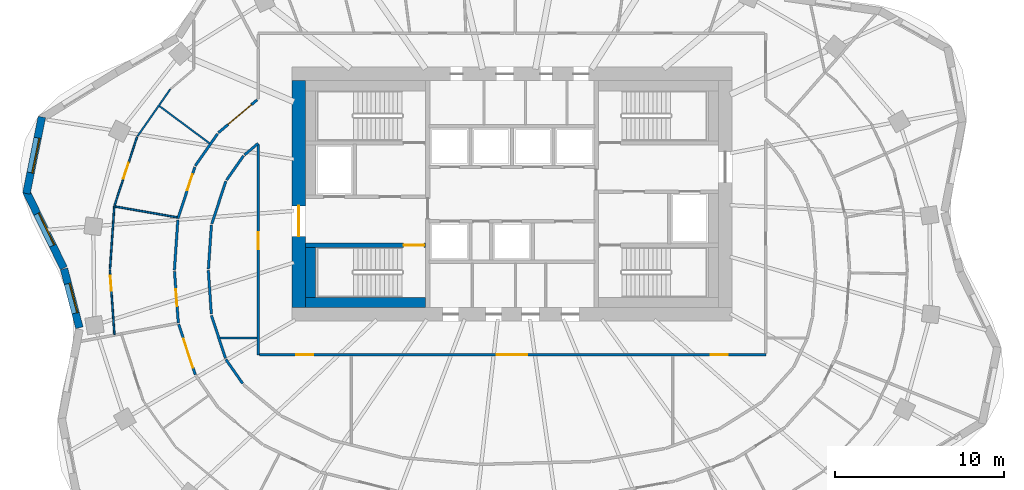
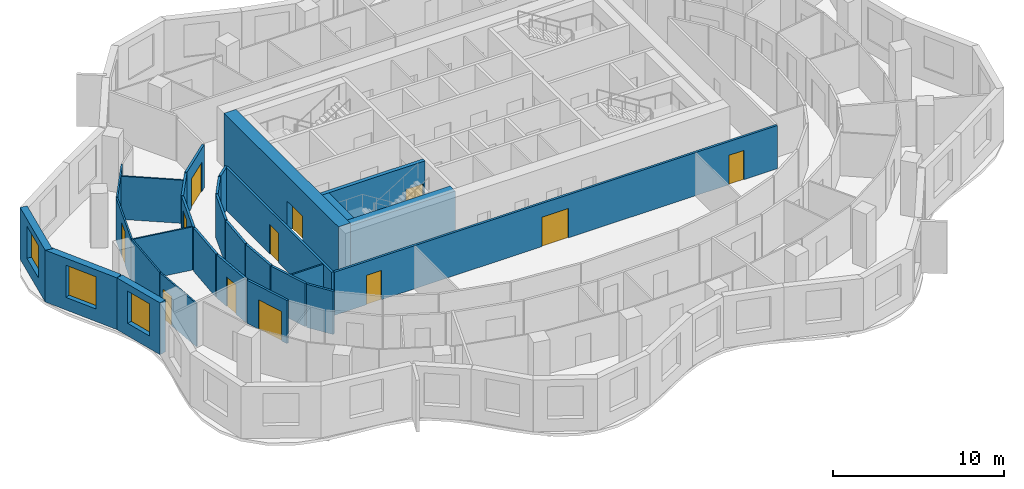
# One storey, part 4 of 11: 29 walls, 12 doors, 3 windows, 15 openings.
"""IFC4 building model written with IfcOpenShell, lengths in metres."""

from ifc_helpers import new_model, si_unit, direction, frame, frame_2d, origin, place, context, subcontext, project, spatial, rectangle, extrude, material, layer, layer_set, type_object, element, fill, save


model = new_model("IFC4")

# Units and contexts
model_context = context("Model", 3, precision=1e-05, world=origin(), true_north=direction((0.0, 1.0)))
body_context = subcontext(model_context, "Body", "Model", "MODEL_VIEW")
ifc_project = project(units=[si_unit("LENGTHUNIT", "METRE"), si_unit("AREAUNIT", "SQUARE_METRE"), si_unit("VOLUMEUNIT", "CUBIC_METRE"), si_unit("PLANEANGLEUNIT", "RADIAN"), si_unit("MASSUNIT", "GRAM", prefix="KILO")], contexts=[model_context])

# Site, building, storey
site_placement = place(None, origin())
site = spatial("IfcSite", under=ifc_project, at=site_placement, CompositionType="ELEMENT")
building_placement = place(site_placement, origin())
building = spatial("IfcBuilding", under=site, at=building_placement, Name="Rubra Terraces Tower", CompositionType="ELEMENT")
storey_placement = place(building_placement, frame((0.0, 0.0, 177.89990234375)))
storey = spatial("IfcBuildingStorey", under=building, at=storey_placement, Name="L43", CompositionType="ELEMENT", Elevation=177.89990234375)

# Wall, opening, window
ifc_material_1 = material(Name="Brick masonry red-brown", Category="masonry")
ifc_layer_1 = layer(ifc_material_1, 0.449951171875)
ifc_layer_set_1 = layer_set([ifc_layer_1], Name="Brick masonry red-brown")
wall_type_1 = type_object("IfcWallType", Name="Brick facade wall 450", PredefinedType="SOLIDWALL", material=ifc_layer_set_1)
wall_1_placement = place(storey_placement, frame((-27.779541015625, 9.053466796875, 0.0), z_axis=(0.0, 0.0, 1.0), x_axis=(-0.197796229105, -0.980243159503, 0.0)))
wall_1 = element("IfcWall", 1, at=wall_1_placement, inside=storey, type_object=wall_type_1, Name="Facade wall L43 bay 19", PredefinedType="SOLIDWALL", context=body_context, shape_type="SweptSolid", body=[
    extrude(rectangle(XDim=4.610107421875, YDim=0.449951171875, at=frame_2d((2.30517578125, 0.0))), origin(), (0.0, 0.0, 1.0), 3.7001953125),
])
opening_1_placement = place(wall_1_placement, frame((1.255126953125, 0.0, 0.89990234375)))
opening_1 = element("IfcOpeningElement", 2, at=opening_1_placement, cuts=wall_1, Name="Opening W1B", PredefinedType="OPENING", context=body_context, shape_type="SweptSolid", body=[
    extrude(rectangle(XDim=2.10009765625, YDim=2.300048828125, at=frame_2d((1.050048828125, 1.14990234375))), frame((0.0, 0.23486328125, 0.0), z_axis=(0.0, -1.0, 0.0), x_axis=(1.0, 0.0, 0.0)), (0.0, 0.0, 1.0), 0.469970703125),
])
ifc_material_2 = material(Name="Clear glass in aluminium frame", Category="aluminium")
window_type_1 = type_object("IfcWindowType", Name="Fixed deep-set window tall storey 2100 x 2300", PartitioningType="SINGLE_PANEL", PredefinedType="WINDOW", material=ifc_material_2)
window_1_placement = place(opening_1_placement, origin())
window_1 = element("IfcWindow", 3, at=window_1_placement, inside=storey, type_object=window_type_1, Name="Window L43 bay 19", OverallHeight=2.300048828125, OverallWidth=2.10009765625, PartitioningType="SINGLE_PANEL", PredefinedType="WINDOW", context=body_context, shape_type="SweptSolid", body=[
    extrude(rectangle(XDim=2.10009765625, YDim=2.300048828125, at=frame_2d((1.050048828125, 1.14990234375))), frame((0.0, 0.135009765625, 0.0), z_axis=(0.0, -1.0, 0.0), x_axis=(1.0, 0.0, 0.0)), (0.0, 0.0, 1.0), 0.06005859375),
])
fill(opening_1, window_1)

wall_2_placement = place(storey_placement, frame((-28.70703125, 4.672119140625, 0.0), z_axis=(0.0, 0.0, 1.0), x_axis=(0.439053549989, -0.898460895221, 0.0)))
wall_2 = element("IfcWall", 4, at=wall_2_placement, inside=storey, type_object=wall_type_1, Name="Facade wall L43 bay 20", PredefinedType="SOLIDWALL", context=body_context, shape_type="SweptSolid", body=[
    extrude(rectangle(XDim=5.061767578125, YDim=0.449951171875, at=frame_2d((2.53076171875, 0.0))), origin(), (0.0, 0.0, 1.0), 3.7001953125),
])
opening_2_placement = place(wall_2_placement, frame((1.48095703125, 0.0, 0.89990234375)))
opening_2 = element("IfcOpeningElement", 5, at=opening_2_placement, cuts=wall_2, Name="Opening W1B", PredefinedType="OPENING", context=body_context, shape_type="SweptSolid", body=[
    extrude(rectangle(XDim=2.10009765625, YDim=2.300048828125, at=frame_2d((1.050048828125, 1.14990234375))), frame((0.0, 0.23486328125, 0.0), z_axis=(0.0, -1.0, 0.0), x_axis=(1.0, 0.0, 0.0)), (0.0, 0.0, 1.0), 0.469970703125),
])
window_2_placement = place(opening_2_placement, origin())
window_2 = element("IfcWindow", 6, at=window_2_placement, inside=storey, type_object=window_type_1, Name="Window L43 bay 20", OverallHeight=2.300048828125, OverallWidth=2.10009765625, PartitioningType="SINGLE_PANEL", PredefinedType="WINDOW", context=body_context, shape_type="SweptSolid", body=[
    extrude(rectangle(XDim=2.10009765625, YDim=2.300048828125, at=frame_2d((1.050048828125, 1.14990234375))), frame((0.0, 0.135009765625, 0.0), z_axis=(0.0, -1.0, 0.0), x_axis=(1.0, 0.0, 0.0)), (0.0, 0.0, 1.0), 0.06005859375),
])
fill(opening_2, window_2)

wall_3_placement = place(storey_placement, frame((-26.469482421875, 0.0791015625, 0.0), z_axis=(0.0, 0.0, 1.0), x_axis=(0.252446779859, -0.967610780913, 0.0)))
wall_3 = element("IfcWall", 7, at=wall_3_placement, inside=storey, type_object=wall_type_1, Name="Facade wall L43 bay 21", PredefinedType="SOLIDWALL", context=body_context, shape_type="SweptSolid", body=[
    extrude(rectangle(XDim=3.5947265625, YDim=0.449951171875, at=frame_2d((1.79736328125, 0.0))), origin(), (0.0, 0.0, 1.0), 3.7001953125),
])
opening_3_placement = place(wall_3_placement, frame((0.897216796875, 0.0, 0.89990234375)))
opening_3 = element("IfcOpeningElement", 8, at=opening_3_placement, cuts=wall_3, Name="Opening W6B", PredefinedType="OPENING", context=body_context, shape_type="SweptSolid", body=[
    extrude(rectangle(XDim=1.800048828125, YDim=2.300048828125, at=frame_2d((0.89990234375, 1.14990234375))), frame((0.0, 0.23486328125, 0.0), z_axis=(0.0, -1.0, 0.0), x_axis=(1.0, 0.0, 0.0)), (0.0, 0.0, 1.0), 0.469970703125),
])
window_type_2 = type_object("IfcWindowType", Name="Fixed deep-set window at wind fin tall storey 1800 x 2300", PartitioningType="SINGLE_PANEL", PredefinedType="WINDOW", material=ifc_material_2)
window_3_placement = place(opening_3_placement, origin())
window_3 = element("IfcWindow", 9, at=window_3_placement, inside=storey, type_object=window_type_2, Name="Window L43 bay 21", OverallHeight=2.300048828125, OverallWidth=1.800048828125, PartitioningType="SINGLE_PANEL", PredefinedType="WINDOW", context=body_context, shape_type="SweptSolid", body=[
    extrude(rectangle(XDim=1.800048828125, YDim=2.300048828125, at=frame_2d((0.89990234375, 1.14990234375))), frame((0.0, 0.135009765625, 0.0), z_axis=(0.0, -1.0, 0.0), x_axis=(1.0, 0.0, 0.0)), (0.0, 0.0, 1.0), 0.06005859375),
])
fill(opening_3, window_3)

# Wall, opening, door
ifc_material_3 = material(Name="Concrete C50", Category="concrete")
ifc_layer_2 = layer(ifc_material_3, 0.800048828125)
ifc_layer_set_2 = layer_set([ifc_layer_2], Name="Concrete C50")
wall_type_2 = type_object("IfcWallType", Name="CORE WALL 800 C50", PredefinedType="SHEAR", material=ifc_layer_set_2)
wall_4_placement = place(storey_placement, frame((-12.60009765625, -2.199951171875, 0.0), z_axis=(0.0, 0.0, 1.0), x_axis=(0.0, 1.0, 0.0)))
wall_4 = element("IfcWall", 10, at=wall_4_placement, inside=storey, type_object=wall_type_2, Name="CORE WALL W L43", PredefinedType="SHEAR", context=body_context, shape_type="SweptSolid", body=[
    extrude(rectangle(XDim=13.39990234375, YDim=0.800048828125, at=frame_2d((6.699951171875, 0.0))), origin(), (0.0, 0.0, 1.0), 3.900146484375),
])
opening_4_placement = place(wall_4_placement, frame((4.199951171875, 0.0, 0.0)))
opening_4 = element("IfcOpeningElement", 11, at=opening_4_placement, cuts=wall_4, Name="Opening L43.C01", PredefinedType="OPENING", context=body_context, shape_type="SweptSolid", body=[
    extrude(rectangle(XDim=1.800048828125, YDim=2.10009765625, at=frame_2d((0.89990234375, 1.050048828125))), frame((0.0, 0.409912109375, 0.0), z_axis=(0.0, -1.0, 0.0), x_axis=(1.0, 0.0, 0.0)), (0.0, 0.0, 1.0), 0.820068359375),
])
ifc_material_4 = material(Name="Painted steel", Category="steel")
door_type_1 = type_object("IfcDoorType", Name="Fire door 1800x2100 double", OperationType="NOTDEFINED", PredefinedType="DOOR", material=ifc_material_4)
door_1_placement = place(opening_4_placement, origin())
door_1 = element("IfcDoor", 12, at=door_1_placement, inside=storey, type_object=door_type_1, Name="Core entrance door FF1", OperationType="DOUBLE_DOOR_SINGLE_SWING", OverallHeight=2.10009765625, OverallWidth=1.800048828125, PredefinedType="DOOR", context=body_context, shape_type="SweptSolid", body=[
    extrude(rectangle(XDim=1.800048828125, YDim=2.10009765625, at=frame_2d((0.89990234375, 1.050048828125))), frame((0.0, 0.02490234375, 0.0), z_axis=(0.0, -1.0, 0.0), x_axis=(1.0, 0.0, 0.0)), (0.0, 0.0, 1.0), 0.050048828125),
])
fill(opening_4, door_1)

ifc_material_5 = material(Name="Plasterboard on steel stud, mineral wool infill", Category="steel")
ifc_layer_3 = layer(ifc_material_5, 0.14990234375)
ifc_layer_set_3 = layer_set([ifc_layer_3], Name="Plasterboard on steel stud, mineral wool infill")
wall_type_3 = type_object("IfcWallType", Name="CORRIDOR PARTITION 150", PredefinedType="PARTITIONING", material=ifc_layer_set_3)
wall_5_placement = place(storey_placement, frame((-15.05712890625, 10.072998046875, 0.0), z_axis=(0.0, 0.0, 1.0), x_axis=(-0.762398905861, -0.647107339119, 0.0)))
wall_5 = element("IfcWall", 13, at=wall_5_placement, inside=storey, type_object=wall_type_3, Name="PARTITION", PredefinedType="PARTITIONING", context=body_context, shape_type="SweptSolid", body=[
    extrude(rectangle(XDim=3.013427734375, YDim=0.14990234375, at=frame_2d((1.5068359375, 0.0))), origin(), (0.0, 0.0, 1.0), 3.083984375),
])
opening_5_placement = place(wall_5_placement, frame((0.449951171875, 0.0, 0.0)))
opening_5 = element("IfcOpeningElement", 14, at=opening_5_placement, cuts=wall_5, Name="Opening 43-110", PredefinedType="OPENING", context=body_context, shape_type="SweptSolid", body=[
    extrude(rectangle(XDim=1.800048828125, YDim=2.10009765625, at=frame_2d((0.89990234375, 1.050048828125))), frame((0.0, 0.0849609375, 0.0), z_axis=(0.0, -1.0, 0.0), x_axis=(1.0, 0.0, 0.0)), (0.0, 0.0, 1.0), 0.169921875),
])
ifc_material_6 = material(Name="Painted timber door leaf, double", Category="wood")
door_type_2 = type_object("IfcDoorType", Name="ROOM DOUBLE DOOR 1800 X 2100", OperationType="DOUBLE_DOOR_SINGLE_SWING", PredefinedType="DOOR", material=ifc_material_6)
door_2_placement = place(opening_5_placement, origin())
door_2 = element("IfcDoor", 15, at=door_2_placement, inside=storey, type_object=door_type_2, Name="DOOR 43-110", OperationType="DOUBLE_DOOR_SINGLE_SWING", OverallHeight=2.10009765625, OverallWidth=1.800048828125, PredefinedType="DOOR", context=body_context, shape_type="SweptSolid", body=[
    extrude(rectangle(XDim=1.800048828125, YDim=2.10009765625, at=frame_2d((0.89990234375, 1.050048828125))), frame((0.0, 0.02490234375, 0.0), z_axis=(0.0, -1.0, 0.0), x_axis=(1.0, 0.0, 0.0)), (0.0, 0.0, 1.0), 0.050048828125),
])
fill(opening_5, door_2)

# Wall
wall_6_placement = place(storey_placement, frame((-17.3974609375, 8.0615234375, 0.0), z_axis=(0.0, 0.0, 1.0), x_axis=(-0.572118665737, -0.820170855563, 0.0)))
element("IfcWall", 16, at=wall_6_placement, inside=storey, type_object=wall_type_3, Name="PARTITION", PredefinedType="PARTITIONING", context=body_context, shape_type="SweptSolid", body=[
    extrude(rectangle(XDim=2.30615234375, YDim=0.14990234375, at=frame_2d((1.153076171875, 0.0))), origin(), (0.0, 0.0, 1.0), 3.083984375),
])

# Wall, opening, door
wall_7_placement = place(storey_placement, frame((-18.740234375, 6.098876953125, 0.0), z_axis=(0.0, 0.0, 1.0), x_axis=(-0.31188427026, -0.950120098706, 0.0)))
wall_7 = element("IfcWall", 17, at=wall_7_placement, inside=storey, type_object=wall_type_3, Name="PARTITION", PredefinedType="PARTITIONING", context=body_context, shape_type="SweptSolid", body=[
    extrude(rectangle(XDim=3.206298828125, YDim=0.14990234375, at=frame_2d((1.60302734375, 0.0))), origin(), (0.0, 0.0, 1.0), 3.083984375),
])
opening_6_placement = place(wall_7_placement, frame((0.449951171875, 0.0, 0.0)))
opening_6 = element("IfcOpeningElement", 18, at=opening_6_placement, cuts=wall_7, Name="Opening 43-111", PredefinedType="OPENING", context=body_context, shape_type="SweptSolid", body=[
    extrude(rectangle(XDim=1.0, YDim=2.39990234375, at=frame_2d((0.5, 1.199951171875))), frame((0.0, 0.0849609375, 0.0), z_axis=(0.0, -1.0, 0.0), x_axis=(1.0, 0.0, 0.0)), (0.0, 0.0, 1.0), 0.169921875),
])
ifc_material_7 = material(Name="Glazed aluminium meeting door leaf", Category="aluminium")
door_type_3 = type_object("IfcDoorType", Name="MEETING ROOM GLAZED DOOR 1000 X 2400", OperationType="SINGLE_SWING_LEFT", PredefinedType="DOOR", material=ifc_material_7)
door_3_placement = place(opening_6_placement, origin())
door_3 = element("IfcDoor", 19, at=door_3_placement, inside=storey, type_object=door_type_3, Name="DOOR 43-111", OperationType="SINGLE_SWING_RIGHT", OverallHeight=2.39990234375, OverallWidth=1.0, PredefinedType="DOOR", context=body_context, shape_type="SweptSolid", body=[
    extrude(rectangle(XDim=1.0, YDim=2.39990234375, at=frame_2d((0.5, 1.199951171875))), frame((0.0, 0.02490234375, 0.0), z_axis=(0.0, -1.0, 0.0), x_axis=(1.0, 0.0, 0.0)), (0.0, 0.0, 1.0), 0.050048828125),
])
fill(opening_6, door_3)

# Wall
wall_8_placement = place(storey_placement, frame((-19.745361328125, 2.9775390625, 0.0), z_axis=(0.0, 0.0, 1.0), x_axis=(-0.068142324, -0.997675610447, 0.0)))
element("IfcWall", 20, at=wall_8_placement, inside=storey, type_object=wall_type_3, Name="PARTITION", PredefinedType="PARTITIONING", context=body_context, shape_type="SweptSolid", body=[
    extrude(rectangle(XDim=2.984375, YDim=0.14990234375, at=frame_2d((1.4921875, 0.0))), origin(), (0.0, 0.0, 1.0), 3.083984375),
])

# Wall, opening, door
wall_9_placement = place(storey_placement, frame((-19.943115234375, -0.07470703125, 0.0), z_axis=(0.0, 0.0, 1.0), x_axis=(0.074071611523, -0.997252924973, 0.0)))
wall_9 = element("IfcWall", 21, at=wall_9_placement, inside=storey, type_object=wall_type_3, Name="PARTITION", PredefinedType="PARTITIONING", context=body_context, shape_type="SweptSolid", body=[
    extrude(rectangle(XDim=3.05859375, YDim=0.14990234375, at=frame_2d((1.529296875, 0.0))), origin(), (0.0, 0.0, 1.0), 3.083984375),
])
opening_7_placement = place(wall_9_placement, frame((1.050048828125, 0.0, 0.0)))
opening_7 = element("IfcOpeningElement", 22, at=opening_7_placement, cuts=wall_9, Name="Opening 43-135", PredefinedType="OPENING", context=body_context, shape_type="SweptSolid", body=[
    extrude(rectangle(XDim=1.0, YDim=2.10009765625, at=frame_2d((0.5, 1.050048828125))), frame((0.0, 0.0849609375, 0.0), z_axis=(0.0, -1.0, 0.0), x_axis=(1.0, 0.0, 0.0)), (0.0, 0.0, 1.0), 0.169921875),
])
ifc_material_8 = material(Name="Painted timber door leaf", Category="wood")
door_type_4 = type_object("IfcDoorType", Name="ROOM DOOR 1000 X 2100", OperationType="SINGLE_SWING_LEFT", PredefinedType="DOOR", material=ifc_material_8)
door_4_placement = place(opening_7_placement, origin())
door_4 = element("IfcDoor", 23, at=door_4_placement, inside=storey, type_object=door_type_4, Name="DOOR 43-135", OperationType="SINGLE_SWING_RIGHT", OverallHeight=2.10009765625, OverallWidth=1.0, PredefinedType="DOOR", context=body_context, shape_type="SweptSolid", body=[
    extrude(rectangle(XDim=1.0, YDim=2.10009765625, at=frame_2d((0.5, 1.050048828125))), frame((0.0, 0.02490234375, 0.0), z_axis=(0.0, -1.0, 0.0), x_axis=(1.0, 0.0, 0.0)), (0.0, 0.0, 1.0), 0.050048828125),
])
fill(opening_7, door_4)

wall_10_placement = place(storey_placement, frame((-19.693115234375, -3.1962890625, 0.0), z_axis=(0.0, 0.0, 1.0), x_axis=(0.311918951318, -0.950108713679, 0.0)))
wall_10 = element("IfcWall", 24, at=wall_10_placement, inside=storey, type_object=wall_type_3, Name="PARTITION", PredefinedType="PARTITIONING", context=body_context, shape_type="SweptSolid", body=[
    extrude(rectangle(XDim=3.130126953125, YDim=0.14990234375, at=frame_2d((1.56494140625, 0.0))), origin(), (0.0, 0.0, 1.0), 3.083984375),
])
opening_8_placement = place(wall_10_placement, frame((0.89990234375, 0.0, 0.0)))
opening_8 = element("IfcOpeningElement", 25, at=opening_8_placement, cuts=wall_10, Name="Opening 43-113", PredefinedType="OPENING", context=body_context, shape_type="SweptSolid", body=[
    extrude(rectangle(XDim=1.800048828125, YDim=2.10009765625, at=frame_2d((0.89990234375, 1.050048828125))), frame((0.0, 0.0849609375, 0.0), z_axis=(0.0, -1.0, 0.0), x_axis=(1.0, 0.0, 0.0)), (0.0, 0.0, 1.0), 0.169921875),
])
door_5_placement = place(opening_8_placement, origin())
door_5 = element("IfcDoor", 26, at=door_5_placement, inside=storey, type_object=door_type_2, Name="DOOR 43-113", OperationType="DOUBLE_DOOR_SINGLE_SWING", OverallHeight=2.10009765625, OverallWidth=1.800048828125, PredefinedType="DOOR", context=body_context, shape_type="SweptSolid", body=[
    extrude(rectangle(XDim=1.800048828125, YDim=2.10009765625, at=frame_2d((0.89990234375, 1.050048828125))), frame((0.0, 0.02490234375, 0.0), z_axis=(0.0, -1.0, 0.0), x_axis=(1.0, 0.0, 0.0)), (0.0, 0.0, 1.0), 0.050048828125),
])
fill(opening_8, door_5)

# Walls
wall_11_placement = place(storey_placement, frame((-15.911865234375, -6.695556640625, 0.0), z_axis=(0.0, 0.0, 1.0), x_axis=(-0.572078533763, 0.820198848578, 0.0)))
element("IfcWall", 27, at=wall_11_placement, inside=storey, type_object=wall_type_3, Name="PARTITION", PredefinedType="PARTITIONING", context=body_context, shape_type="SweptSolid", body=[
    extrude(rectangle(XDim=1.74169921875, YDim=0.14990234375, at=frame_2d((0.870849609375, 0.0))), origin(), (0.0, 0.0, 1.0), 3.083984375),
])
wall_12_placement = place(storey_placement, frame((-16.931640625, -5.19580078125, 0.0), z_axis=(0.0, 0.0, 1.0), x_axis=(-0.311904957484, 0.950113307715, 0.0)))
element("IfcWall", 28, at=wall_12_placement, inside=storey, type_object=wall_type_3, Name="PARTITION", PredefinedType="PARTITIONING", context=body_context, shape_type="SweptSolid", body=[
    extrude(rectangle(XDim=2.662109375, YDim=0.14990234375, at=frame_2d((1.3310546875, 0.0))), origin(), (0.0, 0.0, 1.0), 3.083984375),
])
wall_13_placement = place(storey_placement, frame((-17.76708984375, -2.591552734375, 0.0), z_axis=(0.0, 0.0, 1.0), x_axis=(-0.068140828228, 0.997675712608, 0.0)))
element("IfcWall", 29, at=wall_13_placement, inside=storey, type_object=wall_type_3, Name="PARTITION", PredefinedType="PARTITIONING", context=body_context, shape_type="SweptSolid", body=[
    extrude(rectangle(XDim=2.59765625, YDim=0.14990234375, at=frame_2d((1.298828125, 0.0))), origin(), (0.0, 0.0, 1.0), 3.083984375),
])
wall_14_placement = place(storey_placement, frame((-17.939208984375, 0.07470703125, 0.0), z_axis=(0.0, 0.0, 1.0), x_axis=(0.068227980697, 0.997669756307, 0.0)))
element("IfcWall", 30, at=wall_14_placement, inside=storey, type_object=wall_type_3, Name="PARTITION", PredefinedType="PARTITIONING", context=body_context, shape_type="SweptSolid", body=[
    extrude(rectangle(XDim=2.597900390625, YDim=0.14990234375, at=frame_2d((1.298828125, 0.0))), origin(), (0.0, 0.0, 1.0), 3.083984375),
])
wall_15_placement = place(storey_placement, frame((-17.738525390625, 2.73779296875, 0.0), z_axis=(0.0, 0.0, 1.0), x_axis=(0.311904957484, 0.950113307715, 0.0)))
element("IfcWall", 31, at=wall_15_placement, inside=storey, type_object=wall_type_3, Name="PARTITION", PredefinedType="PARTITIONING", context=body_context, shape_type="SweptSolid", body=[
    extrude(rectangle(XDim=2.662109375, YDim=0.14990234375, at=frame_2d((1.3310546875, 0.0))), origin(), (0.0, 0.0, 1.0), 3.083984375),
])
wall_16_placement = place(storey_placement, frame((-16.865478515625, 5.32861328125, 0.0), z_axis=(0.0, 0.0, 1.0), x_axis=(0.572096615639, 0.820186236397, 0.0)))
element("IfcWall", 32, at=wall_16_placement, inside=storey, type_object=wall_type_3, Name="PARTITION", PredefinedType="PARTITIONING", context=body_context, shape_type="SweptSolid", body=[
    extrude(rectangle(XDim=1.752685546875, YDim=0.14990234375, at=frame_2d((0.87646484375, 0.0))), origin(), (0.0, 0.0, 1.0), 3.083984375),
])
wall_17_placement = place(storey_placement, frame((-15.805419921875, 6.814453125, 0.0), z_axis=(0.0, 0.0, 1.0), x_axis=(0.762298381233, 0.647225755027, 0.0)))
element("IfcWall", 33, at=wall_17_placement, inside=storey, type_object=wall_type_3, Name="PARTITION", PredefinedType="PARTITIONING", context=body_context, shape_type="SweptSolid", body=[
    extrude(rectangle(XDim=1.056640625, YDim=0.14990234375, at=frame_2d((0.5283203125, 0.0))), origin(), (0.0, 0.0, 1.0), 3.083984375),
])

# Wall, opening, door
wall_18_placement = place(storey_placement, frame((-15.0, 7.423095703125, 0.0), z_axis=(0.0, 0.0, 1.0), x_axis=(0.0, -1.0, 0.0)))
wall_18 = element("IfcWall", 34, at=wall_18_placement, inside=storey, type_object=wall_type_3, Name="PARTITION", PredefinedType="PARTITIONING", context=body_context, shape_type="SweptSolid", body=[
    extrude(rectangle(XDim=12.423095703125, YDim=0.14990234375, at=frame_2d((6.21142578125, 0.0))), origin(), (0.0, 0.0, 1.0), 3.083984375),
])
opening_9_placement = place(wall_18_placement, frame((5.174072265625, 0.0, 0.0)))
opening_9 = element("IfcOpeningElement", 35, at=opening_9_placement, cuts=wall_18, Name="Opening 43-127", PredefinedType="OPENING", context=body_context, shape_type="SweptSolid", body=[
    extrude(rectangle(XDim=1.0, YDim=2.10009765625, at=frame_2d((0.5, 1.050048828125))), frame((0.0, 0.0849609375, 0.0), z_axis=(0.0, -1.0, 0.0), x_axis=(1.0, 0.0, 0.0)), (0.0, 0.0, 1.0), 0.169921875),
])
door_6_placement = place(opening_9_placement, origin())
door_6 = element("IfcDoor", 36, at=door_6_placement, inside=storey, type_object=door_type_4, Name="DOOR 43-127", OperationType="SINGLE_SWING_RIGHT", OverallHeight=2.10009765625, OverallWidth=1.0, PredefinedType="DOOR", context=body_context, shape_type="SweptSolid", body=[
    extrude(rectangle(XDim=1.0, YDim=2.10009765625, at=frame_2d((0.5, 1.050048828125))), frame((0.0, 0.02490234375, 0.0), z_axis=(0.0, -1.0, 0.0), x_axis=(1.0, 0.0, 0.0)), (0.0, 0.0, 1.0), 0.050048828125),
])
fill(opening_9, door_6)

# Wall, openings, doors
wall_19_placement = place(storey_placement, frame((-14.925048828125, -5.0, 0.0), z_axis=(0.0, 0.0, 1.0), x_axis=(1.0, 0.0, 0.0)))
wall_19 = element("IfcWall", 37, at=wall_19_placement, inside=storey, type_object=wall_type_3, Name="PARTITION", PredefinedType="PARTITIONING", context=body_context, shape_type="SweptSolid", body=[
    extrude(rectangle(XDim=29.925048828125, YDim=0.14990234375, at=frame_2d((14.96240234375, 0.0))), origin(), (0.0, 0.0, 1.0), 3.083984375),
])
opening_10_placement = place(wall_19_placement, frame((2.175048828125, 0.0, 0.0)))
opening_10 = element("IfcOpeningElement", 38, at=opening_10_placement, cuts=wall_19, Name="Opening 43-128", PredefinedType="OPENING", context=body_context, shape_type="SweptSolid", body=[
    extrude(rectangle(XDim=1.0, YDim=2.10009765625, at=frame_2d((0.5, 1.050048828125))), frame((0.0, 0.0849609375, 0.0), z_axis=(0.0, -1.0, 0.0), x_axis=(1.0, 0.0, 0.0)), (0.0, 0.0, 1.0), 0.169921875),
])
opening_11_placement = place(wall_19_placement, frame((14.02490234375, 0.0, 0.0)))
opening_11 = element("IfcOpeningElement", 39, at=opening_11_placement, cuts=wall_19, Name="Opening 43-129", PredefinedType="OPENING", context=body_context, shape_type="SweptSolid", body=[
    extrude(rectangle(XDim=1.800048828125, YDim=2.10009765625, at=frame_2d((0.89990234375, 1.050048828125))), frame((0.0, 0.0849609375, 0.0), z_axis=(0.0, -1.0, 0.0), x_axis=(1.0, 0.0, 0.0)), (0.0, 0.0, 1.0), 0.169921875),
])
opening_12_placement = place(wall_19_placement, frame((26.675048828125, 0.0, 0.0)))
opening_12 = element("IfcOpeningElement", 40, at=opening_12_placement, cuts=wall_19, Name="Opening 43-130", PredefinedType="OPENING", context=body_context, shape_type="SweptSolid", body=[
    extrude(rectangle(XDim=1.0, YDim=2.10009765625, at=frame_2d((0.5, 1.050048828125))), frame((0.0, 0.0849609375, 0.0), z_axis=(0.0, -1.0, 0.0), x_axis=(1.0, 0.0, 0.0)), (0.0, 0.0, 1.0), 0.169921875),
])
door_7_placement = place(opening_10_placement, origin())
door_7 = element("IfcDoor", 41, at=door_7_placement, inside=storey, type_object=door_type_4, Name="DOOR 43-128", OperationType="SINGLE_SWING_RIGHT", OverallHeight=2.10009765625, OverallWidth=1.0, PredefinedType="DOOR", context=body_context, shape_type="SweptSolid", body=[
    extrude(rectangle(XDim=1.0, YDim=2.10009765625, at=frame_2d((0.5, 1.050048828125))), frame((0.0, 0.02490234375, 0.0), z_axis=(0.0, -1.0, 0.0), x_axis=(1.0, 0.0, 0.0)), (0.0, 0.0, 1.0), 0.050048828125),
])
fill(opening_10, door_7)
door_8_placement = place(opening_12_placement, origin())
door_8 = element("IfcDoor", 42, at=door_8_placement, inside=storey, type_object=door_type_4, Name="DOOR 43-130", OperationType="SINGLE_SWING_RIGHT", OverallHeight=2.10009765625, OverallWidth=1.0, PredefinedType="DOOR", context=body_context, shape_type="SweptSolid", body=[
    extrude(rectangle(XDim=1.0, YDim=2.10009765625, at=frame_2d((0.5, 1.050048828125))), frame((0.0, 0.02490234375, 0.0), z_axis=(0.0, -1.0, 0.0), x_axis=(1.0, 0.0, 0.0)), (0.0, 0.0, 1.0), 0.050048828125),
])
fill(opening_12, door_8)
door_9_placement = place(opening_11_placement, origin())
door_9 = element("IfcDoor", 43, at=door_9_placement, inside=storey, type_object=door_type_2, Name="DOOR 43-129", OperationType="DOUBLE_DOOR_SINGLE_SWING", OverallHeight=2.10009765625, OverallWidth=1.800048828125, PredefinedType="DOOR", context=body_context, shape_type="SweptSolid", body=[
    extrude(rectangle(XDim=1.800048828125, YDim=2.10009765625, at=frame_2d((0.89990234375, 1.050048828125))), frame((0.0, 0.02490234375, 0.0), z_axis=(0.0, -1.0, 0.0), x_axis=(1.0, 0.0, 0.0)), (0.0, 0.0, 1.0), 0.050048828125),
])
fill(opening_11, door_9)

# Walls
ifc_material_9 = material(Name="Concrete C40", Category="concrete")
ifc_layer_4 = layer(ifc_material_9, 0.60009765625)
ifc_layer_set_4 = layer_set([ifc_layer_4], Name="Concrete C40")
wall_type_4 = type_object("IfcWallType", Name="Core lining wall 600 concrete", PredefinedType="SOLIDWALL", material=ifc_layer_set_4)
wall_20_placement = place(storey_placement, frame((-12.199951171875, -1.89990234375, 0.0), z_axis=(0.0, 0.0, 1.0), x_axis=(1.0, 0.0, 0.0)))
element("IfcWall", 44, at=wall_20_placement, inside=storey, type_object=wall_type_4, Name="CORE LINING WALL L43", PredefinedType="SOLIDWALL", context=body_context, shape_type="SweptSolid", body=[
    extrude(rectangle(XDim=7.099853515625, YDim=0.60009765625, at=frame_2d((3.5498046875, 0.0))), origin(), (0.0, 0.0, 1.0), 3.7001953125),
])
wall_21_placement = place(storey_placement, frame((-11.89990234375, -1.60009765625, 0.0), z_axis=(0.0, 0.0, 1.0), x_axis=(0.0, 1.0, 0.0)))
element("IfcWall", 45, at=wall_21_placement, inside=storey, type_object=wall_type_4, Name="CORE LINING WALL L43", PredefinedType="SOLIDWALL", context=body_context, shape_type="SweptSolid", body=[
    extrude(rectangle(XDim=2.9501953125, YDim=0.60009765625, at=frame_2d((1.47509765625, 0.0))), origin(), (0.0, 0.0, 1.0), 3.7001953125),
])

# Wall, opening, door
ifc_material_10 = material(Name="Plasterboard on steel stud", Category="steel")
ifc_layer_5 = layer(ifc_material_10, 0.10009765625)
ifc_layer_set_5 = layer_set([ifc_layer_5], Name="Plasterboard on steel stud")
wall_type_5 = type_object("IfcWallType", Name="ROOM PARTITION 100", PredefinedType="PARTITIONING", material=ifc_layer_set_5)
wall_22_placement = place(storey_placement, frame((-23.4912109375, -3.8095703125, 0.0), z_axis=(0.0, 0.0, 1.0), x_axis=(-0.069811314636, 0.997560213896, 0.0)))
wall_22 = element("IfcWall", 46, at=wall_22_placement, inside=storey, type_object=wall_type_5, Name="PARTITION", PredefinedType="PARTITIONING", context=body_context, shape_type="SweptSolid", body=[
    extrude(rectangle(XDim=3.81884765625, YDim=0.10009765625, at=frame_2d((1.909423828125, 0.0))), origin(), (0.0, 0.0, 1.0), 3.083984375),
])
opening_13_placement = place(wall_22_placement, frame((2.60009765625, 0.0, 0.0)))
opening_13 = element("IfcOpeningElement", 47, at=opening_13_placement, cuts=wall_22, Name="Opening 43-112", PredefinedType="OPENING", context=body_context, shape_type="SweptSolid", body=[
    extrude(rectangle(XDim=0.89990234375, YDim=2.10009765625, at=frame_2d((0.449951171875, 1.050048828125))), frame((0.0, 0.06005859375, 0.0), z_axis=(0.0, -1.0, 0.0), x_axis=(1.0, 0.0, 0.0)), (0.0, 0.0, 1.0), 0.1201171875),
])
door_type_5 = type_object("IfcDoorType", Name="ROOM DOOR 900 X 2100", OperationType="SINGLE_SWING_LEFT", PredefinedType="DOOR", material=ifc_material_8)
door_10_placement = place(opening_13_placement, origin())
door_10 = element("IfcDoor", 48, at=door_10_placement, inside=storey, type_object=door_type_5, Name="DOOR 43-112", OperationType="SINGLE_SWING_LEFT", OverallHeight=2.10009765625, OverallWidth=0.89990234375, PredefinedType="DOOR", context=body_context, shape_type="SweptSolid", body=[
    extrude(rectangle(XDim=0.89990234375, YDim=2.10009765625, at=frame_2d((0.449951171875, 1.050048828125))), frame((0.0, 0.02490234375, 0.0), z_axis=(0.0, -1.0, 0.0), x_axis=(1.0, 0.0, 0.0)), (0.0, 0.0, 1.0), 0.050048828125),
])
fill(opening_13, door_10)

# Wall
wall_23_placement = place(storey_placement, frame((-23.75439453125, 0.0498046875, 0.0), z_axis=(0.0, 0.0, 1.0), x_axis=(0.068193493527, 0.997672114194, 0.0)))
element("IfcWall", 49, at=wall_23_placement, inside=storey, type_object=wall_type_5, Name="PARTITION", PredefinedType="PARTITIONING", context=body_context, shape_type="SweptSolid", body=[
    extrude(rectangle(XDim=3.744873046875, YDim=0.10009765625, at=frame_2d((1.87255859375, 0.0))), origin(), (0.0, 0.0, 1.0), 3.083984375),
])

# Wall, opening, door
wall_24_placement = place(storey_placement, frame((-23.4833984375, 3.833251953125, 0.0), z_axis=(0.0, 0.0, 1.0), x_axis=(0.311880220566, 0.95012142804, 0.0)))
wall_24 = element("IfcWall", 50, at=wall_24_placement, inside=storey, type_object=wall_type_5, Name="PARTITION", PredefinedType="PARTITIONING", context=body_context, shape_type="SweptSolid", body=[
    extrude(rectangle(XDim=4.265380859375, YDim=0.10009765625, at=frame_2d((2.1328125, 0.0))), origin(), (0.0, 0.0, 1.0), 3.083984375),
])
opening_14_placement = place(wall_24_placement, frame((1.64990234375, 0.0, 0.0)))
opening_14 = element("IfcOpeningElement", 51, at=opening_14_placement, cuts=wall_24, Name="Opening 43-134", PredefinedType="OPENING", context=body_context, shape_type="SweptSolid", body=[
    extrude(rectangle(XDim=1.0, YDim=2.39990234375, at=frame_2d((0.5, 1.199951171875))), frame((0.0, 0.06005859375, 0.0), z_axis=(0.0, -1.0, 0.0), x_axis=(1.0, 0.0, 0.0)), (0.0, 0.0, 1.0), 0.1201171875),
])
door_11_placement = place(opening_14_placement, origin())
door_11 = element("IfcDoor", 52, at=door_11_placement, inside=storey, type_object=door_type_3, Name="DOOR 43-134", OperationType="SINGLE_SWING_LEFT", OverallHeight=2.39990234375, OverallWidth=1.0, PredefinedType="DOOR", context=body_context, shape_type="SweptSolid", body=[
    extrude(rectangle(XDim=1.0, YDim=2.39990234375, at=frame_2d((0.5, 1.199951171875))), frame((0.0, 0.02490234375, 0.0), z_axis=(0.0, -1.0, 0.0), x_axis=(1.0, 0.0, 0.0)), (0.0, 0.0, 1.0), 0.050048828125),
])
fill(opening_14, door_11)

# Walls
wall_25_placement = place(storey_placement, frame((-22.12451171875, 7.927001953125, 0.0), z_axis=(0.0, 0.0, 1.0), x_axis=(0.572100301866, 0.820183665166, 0.0)))
element("IfcWall", 53, at=wall_25_placement, inside=storey, type_object=wall_type_5, Name="PARTITION", PredefinedType="PARTITIONING", context=body_context, shape_type="SweptSolid", body=[
    extrude(rectangle(XDim=3.38232421875, YDim=0.10009765625, at=frame_2d((1.691162109375, 0.0))), origin(), (0.0, 0.0, 1.0), 3.083984375),
])
wall_26_placement = place(storey_placement, frame((-17.877197265625, 7.504638671875, 0.0), z_axis=(0.0, 0.0, 1.0), x_axis=(-0.802692989486, 0.596392458563, 0.0)))
element("IfcWall", 54, at=wall_26_placement, inside=storey, type_object=wall_type_5, Name="PARTITION", PredefinedType="PARTITIONING", context=body_context, shape_type="SweptSolid", body=[
    extrude(rectangle(XDim=3.677001953125, YDim=0.10009765625, at=frame_2d((1.83837890625, 0.0))), origin(), (0.0, 0.0, 1.0), 3.083984375),
])
wall_27_placement = place(storey_placement, frame((-19.793701171875, 3.1279296875, 0.0), z_axis=(0.0, 0.0, 1.0), x_axis=(-0.985065623684, 0.172179316518, 0.0)))
element("IfcWall", 55, at=wall_27_placement, inside=storey, type_object=wall_type_5, Name="PARTITION", PredefinedType="PARTITIONING", context=body_context, shape_type="SweptSolid", body=[
    extrude(rectangle(XDim=3.712158203125, YDim=0.10009765625, at=frame_2d((1.85595703125, 0.0))), origin(), (0.0, 0.0, 1.0), 3.083984375),
])
wall_28_placement = place(storey_placement, frame((-17.249267578125, -4.0, 0.0), z_axis=(0.0, 0.0, 1.0), x_axis=(1.0, 0.0, 0.0)))
element("IfcWall", 56, at=wall_28_placement, inside=storey, type_object=wall_type_5, Name="PARTITION", PredefinedType="PARTITIONING", context=body_context, shape_type="SweptSolid", body=[
    extrude(rectangle(XDim=2.17431640625, YDim=0.10009765625, at=frame_2d((1.087158203125, 0.0))), origin(), (0.0, 0.0, 1.0), 3.083984375),
])

# Wall, opening, door
ifc_layer_6 = layer(ifc_material_9, 0.25)
ifc_layer_set_6 = layer_set([ifc_layer_6], Name="Concrete C40")
wall_type_6 = type_object("IfcWallType", Name="Stair enclosure wall 250 concrete", PredefinedType="SOLIDWALL", material=ifc_layer_set_6)
wall_29_placement = place(storey_placement, frame((-12.199951171875, 1.47509765625, 0.0), z_axis=(0.0, 0.0, 1.0), x_axis=(1.0, 0.0, 0.0)))
wall_29 = element("IfcWall", 57, at=wall_29_placement, inside=storey, type_object=wall_type_6, Name="STAIR WALL L43", PredefinedType="SOLIDWALL", context=body_context, shape_type="SweptSolid", body=[
    extrude(rectangle(XDim=7.099853515625, YDim=0.25, at=frame_2d((3.5498046875, 0.0))), origin(), (0.0, 0.0, 1.0), 3.7001953125),
])
opening_15_placement = place(wall_29_placement, frame((5.800048828125, 0.0, 0.0)))
opening_15 = element("IfcOpeningElement", 58, at=opening_15_placement, cuts=wall_29, Name="Opening L43.C07", PredefinedType="OPENING", context=body_context, shape_type="SweptSolid", body=[
    extrude(rectangle(XDim=1.199951171875, YDim=2.10009765625, at=frame_2d((0.60009765625, 1.050048828125))), frame((0.0, 0.135009765625, 0.0), z_axis=(0.0, -1.0, 0.0), x_axis=(1.0, 0.0, 0.0)), (0.0, 0.0, 1.0), 0.27001953125),
])
door_type_6 = type_object("IfcDoorType", Name="Fire door 1200x2100 single", OperationType="NOTDEFINED", PredefinedType="DOOR", material=ifc_material_4)
door_12_placement = place(opening_15_placement, origin())
door_12 = element("IfcDoor", 59, at=door_12_placement, inside=storey, type_object=door_type_6, Name="Stair door S1", OperationType="SINGLE_SWING_LEFT", OverallHeight=2.10009765625, OverallWidth=1.199951171875, PredefinedType="DOOR", context=body_context, shape_type="SweptSolid", body=[
    extrude(rectangle(XDim=1.199951171875, YDim=2.10009765625, at=frame_2d((0.60009765625, 1.050048828125))), frame((0.0, 0.02490234375, 0.0), z_axis=(0.0, -1.0, 0.0), x_axis=(1.0, 0.0, 0.0)), (0.0, 0.0, 1.0), 0.050048828125),
])
fill(opening_15, door_12)

save(model, "model.ifc")
